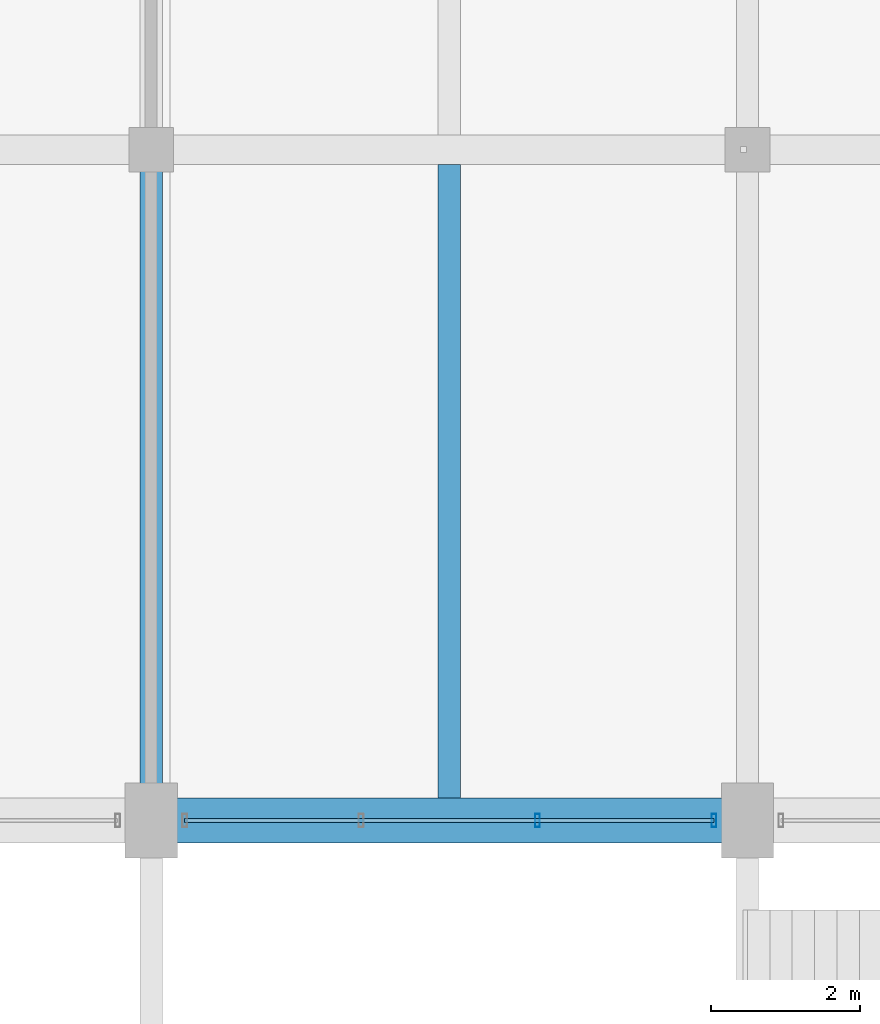
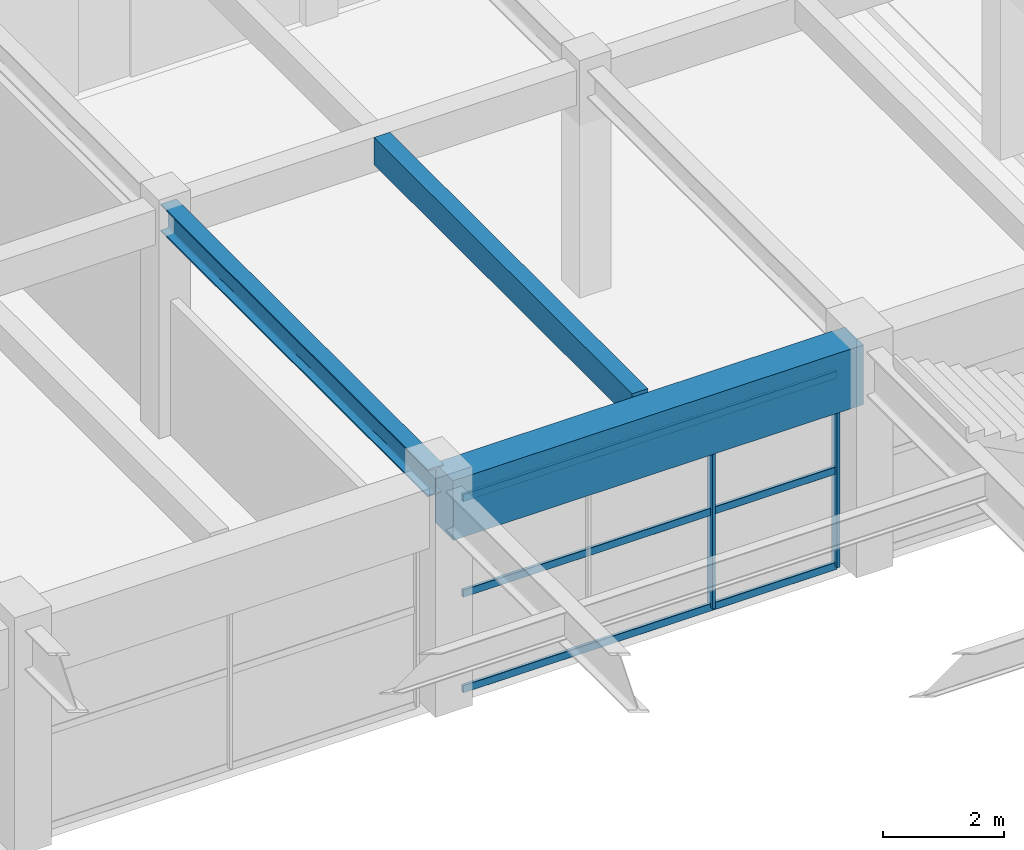
# One storey, part 62 of 144: 5 members, 3 beams, 1 element without a shape of its own.
"""IFC4 building model written with IfcOpenShell, lengths in metres."""

from ifc_helpers import new_model, si_unit, direction, frame, origin, origin_2d, place, context, subcontext, project, spatial, rectangle, hollow_rectangle, i_section, extrude, material, material_profile, profile_set, type_object, element, aggregate, save


model = new_model("IFC4")

# Units and contexts
model_context = context("Model", 3, precision=1e-05, world=origin(), true_north=direction((0.0, 1.0)))
body_context = subcontext(model_context, "Body", "Model", "MODEL_VIEW")
ifc_project = project(units=[si_unit("LENGTHUNIT", "METRE"), si_unit("AREAUNIT", "SQUARE_METRE"), si_unit("VOLUMEUNIT", "CUBIC_METRE"), si_unit("PLANEANGLEUNIT", "RADIAN"), si_unit("MASSUNIT", "GRAM", prefix="KILO")], contexts=[model_context])

# Site, building, storey
site_placement = place(None, origin())
site = spatial("IfcSite", under=ifc_project, at=site_placement, CompositionType="ELEMENT")
building_placement = place(site_placement, origin())
building = spatial("IfcBuilding", under=site, at=building_placement, Name="Varnabhumi Central Station", CompositionType="ELEMENT")
storey_placement = place(building_placement, frame((0.0, 0.0, 4.800048828125)))
storey = spatial("IfcBuildingStorey", under=building, at=storey_placement, Name="L01", CompositionType="ELEMENT", Elevation=4.800048828125)

# Beams
ifc_material_1 = material(Name="Concrete M50", Category="concrete")
ifc_material_profile_1 = material_profile(ifc_material_1, rectangle(XDim=0.60009765625, YDim=1.199951171875, at=origin_2d()), Name="Concrete M50", Category="concrete")
ifc_profile_set_1 = profile_set([ifc_material_profile_1], Name="Concrete M50")
beam_type_1 = type_object("IfcBeamType", Name="BM-RC-1200x600", PredefinedType="BEAM", material=ifc_profile_set_1)
beam_1_placement = place(storey_placement, frame((104.10009765625, 80.0, 3.8798828125), z_axis=(1.0, 0.0, 0.0), x_axis=(0.0, 1.0, 0.0)))
element("IfcBeam", 1, at=beam_1_placement, inside=storey, type_object=beam_type_1, Name="Beam L01-K:14-15", PredefinedType="BEAM", context=body_context, shape_type="SweptSolid", body=[
    extrude(rectangle(XDim=0.60009765625, YDim=1.199951171875, at=origin_2d()), origin(), (0.0, 0.0, 1.0), 7.7998046875),
])
ifc_material_2 = material(Name="Concrete M40", Category="concrete")
ifc_material_profile_2 = material_profile(ifc_material_2, rectangle(XDim=0.300048828125, YDim=0.550048828125, at=origin_2d()), Name="Concrete M40", Category="concrete")
ifc_profile_set_2 = profile_set([ifc_material_profile_2], Name="Concrete M40")
beam_type_2 = type_object("IfcBeamType", Name="BM-RC-300x550", PredefinedType="JOIST", material=ifc_profile_set_2)
beam_2_placement = place(storey_placement, frame((108.0, 80.300048828125, 4.27490234375), z_axis=(0.0, 1.0, 0.0), x_axis=(-1.0, 0.0, 0.0)))
element("IfcBeam", 2, at=beam_2_placement, inside=storey, type_object=beam_type_2, Name="Secondary Joist L01-14/15:K-L", PredefinedType="JOIST", context=body_context, shape_type="SweptSolid", body=[
    extrude(rectangle(XDim=0.300048828125, YDim=0.550048828125, at=origin_2d()), origin(), (0.0, 0.0, 1.0), 8.5),
])
ifc_material_3 = material(Name="Structural steel E350", Category="steel")
ifc_material_profile_3 = material_profile(ifc_material_3, i_section(OverallWidth=0.300048828125, OverallDepth=0.550048828125, WebThickness=0.014892578125, FlangeThickness=0.029052734375, FilletRadius=0.027099609375, at=origin_2d()), Name="Structural steel E350", Category="steel")
ifc_profile_set_3 = profile_set([ifc_material_profile_3], Name="Structural steel E350")
beam_type_3 = type_object("IfcBeamType", Name="BM-STL-WPB550", PredefinedType="BEAM", material=ifc_profile_set_3)
beam_3_placement = place(storey_placement, frame((104.0, 80.10009765625, 4.27490234375), z_axis=(0.0, 1.0, 0.0), x_axis=(-1.0, 0.0, 0.0)))
element("IfcBeam", 3, at=beam_3_placement, inside=storey, type_object=beam_type_3, Name="Beam L01-14:K-L", PredefinedType="BEAM", context=body_context, shape_type="SweptSolid", body=[
    extrude(i_section(OverallWidth=0.300048828125, OverallDepth=0.550048828125, WebThickness=0.014892578125, FlangeThickness=0.029052734375, FilletRadius=0.027099609375, at=origin_2d()), origin(), (0.0, 0.0, 1.0), 8.7998046875),
])

# Curtain wall, members
ifc_material_4 = material(Name="Anodised aluminium 6063-T6", Category="aluminium")
curtain_wall_type = type_object("IfcCurtainWallType", Name="CW-STREET-PORTAL", PredefinedType="NOTDEFINED", material=ifc_material_4)
curtain_wall_placement = place(storey_placement, origin())
curtain_wall = element("IfcCurtainWall", 4, at=curtain_wall_placement, inside=storey, type_object=curtain_wall_type, Name="Curtain Wall CW-NSP113", PredefinedType="NOTDEFINED")
ifc_material_profile_4 = material_profile(ifc_material_4, hollow_rectangle(XDim=0.06494140625, YDim=0.179931640625, WallThickness=0.00390625, InnerFilletRadius=0.001953125, OuterFilletRadius=0.006103515625, at=origin_2d()), Name="Anodised aluminium 6063-T6", Category="aluminium")
ifc_profile_set_4 = profile_set([ifc_material_profile_4], Name="Anodised aluminium 6063-T6")
member_type_1 = type_object("IfcMemberType", Name="CW-MUL-180", PredefinedType="MULLION", material=ifc_profile_set_4)
member_1_placement = place(storey_placement, frame((109.183349609375, 80.0, 0.0), z_axis=(0.0, 0.0, 1.0), x_axis=(1.0, 0.0, 0.0)))
member_1 = element("IfcMember", 5, at=member_1_placement, type_object=member_type_1, Name="Curtain Wall Mullion CW-NSP113-M3", PredefinedType="MULLION", context=body_context, shape_type="SweptSolid", body=[
    extrude(hollow_rectangle(XDim=0.06494140625, YDim=0.179931640625, WallThickness=0.00390625, InnerFilletRadius=0.001953125, OuterFilletRadius=0.006103515625, at=origin_2d()), origin(), (0.0, 0.0, 1.0), 3.83984375),
])
member_2_placement = place(storey_placement, frame((111.550048828125, 80.0, 0.0), z_axis=(0.0, 0.0, 1.0), x_axis=(1.0, 0.0, 0.0)))
member_2 = element("IfcMember", 6, at=member_2_placement, type_object=member_type_1, Name="Curtain Wall Mullion CW-NSP113-M4", PredefinedType="MULLION", context=body_context, shape_type="SweptSolid", body=[
    extrude(hollow_rectangle(XDim=0.06494140625, YDim=0.179931640625, WallThickness=0.00390625, InnerFilletRadius=0.001953125, OuterFilletRadius=0.006103515625, at=origin_2d()), origin(), (0.0, 0.0, 1.0), 3.83984375),
])
ifc_material_profile_5 = material_profile(ifc_material_4, hollow_rectangle(XDim=0.06005859375, YDim=0.14990234375, WallThickness=0.00390625, InnerFilletRadius=0.001953125, OuterFilletRadius=0.006103515625, at=origin_2d()), Name="Anodised aluminium 6063-T6", Category="aluminium")
ifc_profile_set_5 = profile_set([ifc_material_profile_5], Name="Anodised aluminium 6063-T6")
member_type_2 = type_object("IfcMemberType", Name="CW-TR-150", PredefinedType="USERDEFINED", material=ifc_profile_set_5)
member_3_placement = place(storey_placement, frame((104.449951171875, 80.0, 0.0), z_axis=(1.0, 0.0, 0.0), x_axis=(0.0, 1.0, 0.0)))
member_3 = element("IfcMember", 7, at=member_3_placement, type_object=member_type_2, Name="Curtain Wall Transom CW-NSP113-T1", ObjectType="TRANSOM", PredefinedType="USERDEFINED", context=body_context, shape_type="SweptSolid", body=[
    extrude(hollow_rectangle(XDim=0.06005859375, YDim=0.14990234375, WallThickness=0.00390625, InnerFilletRadius=0.001953125, OuterFilletRadius=0.006103515625, at=origin_2d()), origin(), (0.0, 0.0, 1.0), 7.10009765625),
])
member_4_placement = place(storey_placement, frame((104.449951171875, 80.0, 1.919921875), z_axis=(1.0, 0.0, 0.0), x_axis=(0.0, 1.0, 0.0)))
member_4 = element("IfcMember", 8, at=member_4_placement, type_object=member_type_2, Name="Curtain Wall Transom CW-NSP113-T2", ObjectType="TRANSOM", PredefinedType="USERDEFINED", context=body_context, shape_type="SweptSolid", body=[
    extrude(hollow_rectangle(XDim=0.06005859375, YDim=0.14990234375, WallThickness=0.00390625, InnerFilletRadius=0.001953125, OuterFilletRadius=0.006103515625, at=origin_2d()), origin(), (0.0, 0.0, 1.0), 7.10009765625),
])
member_5_placement = place(storey_placement, frame((104.449951171875, 80.0, 3.83984375), z_axis=(1.0, 0.0, 0.0), x_axis=(0.0, 1.0, 0.0)))
member_5 = element("IfcMember", 9, at=member_5_placement, type_object=member_type_2, Name="Curtain Wall Transom CW-NSP113-T3", ObjectType="TRANSOM", PredefinedType="USERDEFINED", context=body_context, shape_type="SweptSolid", body=[
    extrude(hollow_rectangle(XDim=0.06005859375, YDim=0.14990234375, WallThickness=0.00390625, InnerFilletRadius=0.001953125, OuterFilletRadius=0.006103515625, at=origin_2d()), origin(), (0.0, 0.0, 1.0), 7.10009765625),
])
aggregate(curtain_wall, [member_1, member_2, member_3, member_4, member_5])

save(model, "model.ifc")
